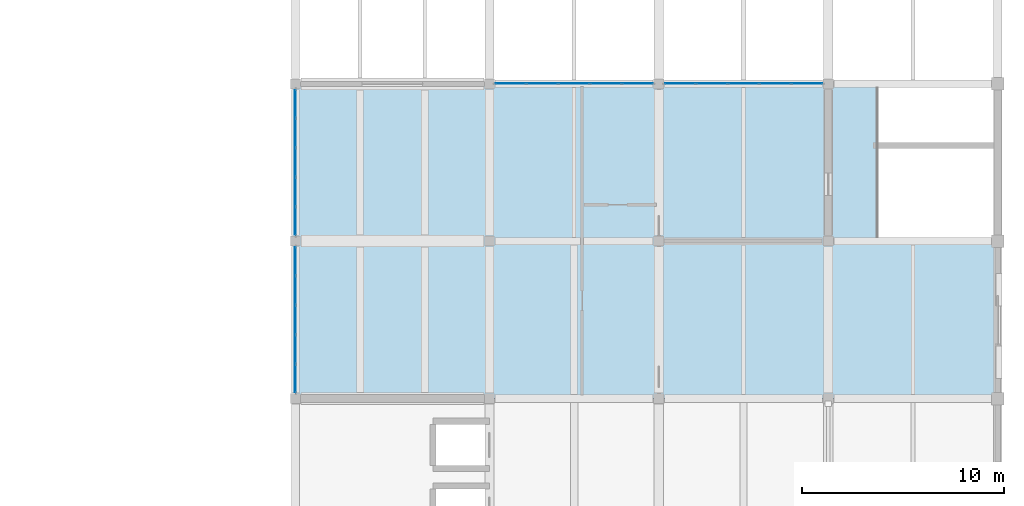
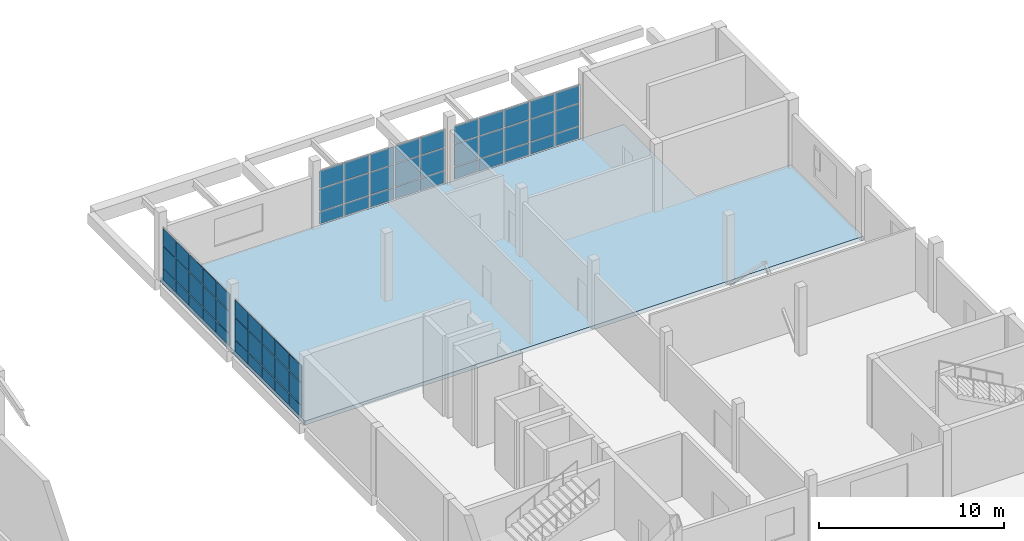
# One storey, part 41 of 53: 60 plates, 1 slab, 4 elements without a shape of their own.
"""IFC4 building model written with IfcOpenShell, lengths in metres."""

from ifc_helpers import new_model, si_unit, direction, frame, origin, place, context, subcontext, project, spatial, polyline, outline, extrude, material, layer, layer_set, type_object, element, aggregate, save


model = new_model("IFC4")

# Units and contexts
model_context = context("Model", 3, precision=1e-05, world=origin(), true_north=direction((0.0, 1.0)))
body_context = subcontext(model_context, "Body", "Model", "MODEL_VIEW")
ifc_project = project(units=[si_unit("LENGTHUNIT", "METRE"), si_unit("AREAUNIT", "SQUARE_METRE"), si_unit("VOLUMEUNIT", "CUBIC_METRE"), si_unit("PLANEANGLEUNIT", "RADIAN"), si_unit("MASSUNIT", "GRAM", prefix="KILO")], contexts=[model_context])

# Site, building, storey
site_placement = place(None, origin())
site = spatial("IfcSite", under=ifc_project, at=site_placement, CompositionType="ELEMENT")
building_placement = place(site_placement, origin())
building = spatial("IfcBuilding", under=site, at=building_placement, Name="Pellamere Symphony Hall", CompositionType="ELEMENT")
storey_placement = place(building_placement, frame((0.0, 0.0, 24.0)))
storey = spatial("IfcBuildingStorey", under=building, at=storey_placement, Name="L05", CompositionType="ELEMENT", Elevation=24.0)

# Curtain wall, plates
ifc_material_1 = material(Name="Thermally Broken Anodised Aluminium 6063-T6 Curtain Wall", Category="aluminium")
curtain_wall_type = type_object("IfcCurtainWallType", Name="Curtain Wall CW-05 (Artists Wing North Studio Ribbon Curtain Wall)", PredefinedType="NOTDEFINED", material=ifc_material_1)
curtain_wall_1_placement = place(storey_placement, origin())
curtain_wall_1 = element("IfcCurtainWall", 1, at=curtain_wall_1_placement, inside=storey, type_object=curtain_wall_type, Name="Artists Wing North Studio Curtain Wall (L05 Bay 1)", PredefinedType="NOTDEFINED")
ifc_material_2 = material(Name="Triple Low-E Argon Acoustic Glazing 36mm", Category="glass")
ifc_layer_1 = layer(ifc_material_2, 0.035888671875, Name="Triple Low-E Argon Acoustic Glazing 36mm")
ifc_layer_set_1 = layer_set([ifc_layer_1], Name="Triple Low-E Argon Acoustic Glazing 36mm")
plate_type = type_object("IfcPlateType", Name="Facade Panel GL-01 36mm", PredefinedType="CURTAIN_PANEL", material=ifc_layer_set_1)
plate_1_placement = place(storey_placement, frame((147.909912109375, 77.39990234375, 0.06005859375), z_axis=(0.0, -1.0, 0.0), x_axis=(1.0, 0.0, 0.0)))
plate_1 = element("IfcPlate", 2, at=plate_1_placement, type_object=plate_type, Name="CW5-148 crystal glass panel 1.1", PredefinedType="CURTAIN_PANEL", context=body_context, shape_type="SweptSolid", body=[
    extrude(outline(polyline([(0.0, 0.0), (1.489990234375, 0.0), (1.489990234375, 0.77392578125), (0.0, 0.77392578125), (0.0, 0.0)])), origin(), (0.0, 0.0, -1.0), 0.035888671875),
])
plate_2_placement = place(storey_placement, frame((147.909912109375, 77.39990234375, 0.89404296875), z_axis=(0.0, -1.0, 0.0), x_axis=(1.0, 0.0, 0.0)))
plate_2 = element("IfcPlate", 3, at=plate_2_placement, type_object=plate_type, Name="CW5-148 crystal glass panel 1.2", PredefinedType="CURTAIN_PANEL", context=body_context, shape_type="SweptSolid", body=[
    extrude(outline(polyline([(0.0, 0.0), (1.489990234375, 0.0), (1.489990234375, 1.451904296875), (0.0, 1.451904296875), (0.0, 0.0)])), origin(), (0.0, 0.0, -1.0), 0.035888671875),
])
plate_3_placement = place(storey_placement, frame((147.909912109375, 77.39990234375, 2.406005859375), z_axis=(0.0, -1.0, 0.0), x_axis=(1.0, 0.0, 0.0)))
plate_3 = element("IfcPlate", 4, at=plate_3_placement, type_object=plate_type, Name="CW5-148 crystal glass panel 1.3", PredefinedType="CURTAIN_PANEL", context=body_context, shape_type="SweptSolid", body=[
    extrude(outline(polyline([(0.0, 0.0), (1.489990234375, 0.0), (1.489990234375, 1.134033203125), (0.0, 1.134033203125), (0.0, 0.0)])), origin(), (0.0, 0.0, -1.0), 0.035888671875),
])
plate_4_placement = place(storey_placement, frame((149.4599609375, 77.39990234375, 0.06005859375), z_axis=(0.0, -1.0, 0.0), x_axis=(1.0, 0.0, 0.0)))
plate_4 = element("IfcPlate", 5, at=plate_4_placement, type_object=plate_type, Name="CW5-148 crystal glass panel 2.1", PredefinedType="CURTAIN_PANEL", context=body_context, shape_type="SweptSolid", body=[
    extrude(outline(polyline([(0.0, 0.0), (1.52001953125, 0.0), (1.52001953125, 0.77392578125), (0.0, 0.77392578125), (0.0, 0.0)])), origin(), (0.0, 0.0, -1.0), 0.035888671875),
])
plate_5_placement = place(storey_placement, frame((149.4599609375, 77.39990234375, 0.89404296875), z_axis=(0.0, -1.0, 0.0), x_axis=(1.0, 0.0, 0.0)))
plate_5 = element("IfcPlate", 6, at=plate_5_placement, type_object=plate_type, Name="CW5-148 crystal glass panel 2.2", PredefinedType="CURTAIN_PANEL", context=body_context, shape_type="SweptSolid", body=[
    extrude(outline(polyline([(0.0, 0.0), (1.52001953125, 0.0), (1.52001953125, 1.451904296875), (0.0, 1.451904296875), (0.0, 0.0)])), origin(), (0.0, 0.0, -1.0), 0.035888671875),
])
plate_6_placement = place(storey_placement, frame((149.4599609375, 77.39990234375, 2.406005859375), z_axis=(0.0, -1.0, 0.0), x_axis=(1.0, 0.0, 0.0)))
plate_6 = element("IfcPlate", 7, at=plate_6_placement, type_object=plate_type, Name="CW5-148 crystal glass panel 2.3", PredefinedType="CURTAIN_PANEL", context=body_context, shape_type="SweptSolid", body=[
    extrude(outline(polyline([(0.0, 0.0), (1.52001953125, 0.0), (1.52001953125, 1.134033203125), (0.0, 1.134033203125), (0.0, 0.0)])), origin(), (0.0, 0.0, -1.0), 0.035888671875),
])
plate_7_placement = place(storey_placement, frame((151.0400390625, 77.39990234375, 0.06005859375), z_axis=(0.0, -1.0, 0.0), x_axis=(1.0, 0.0, 0.0)))
plate_7 = element("IfcPlate", 8, at=plate_7_placement, type_object=plate_type, Name="CW5-148 crystal glass panel 3.1", PredefinedType="CURTAIN_PANEL", context=body_context, shape_type="SweptSolid", body=[
    extrude(outline(polyline([(0.0, 0.0), (1.52001953125, 0.0), (1.52001953125, 0.77392578125), (0.0, 0.77392578125), (0.0, 0.0)])), origin(), (0.0, 0.0, -1.0), 0.035888671875),
])
plate_8_placement = place(storey_placement, frame((151.0400390625, 77.39990234375, 0.89404296875), z_axis=(0.0, -1.0, 0.0), x_axis=(1.0, 0.0, 0.0)))
plate_8 = element("IfcPlate", 9, at=plate_8_placement, type_object=plate_type, Name="CW5-148 crystal glass panel 3.2", PredefinedType="CURTAIN_PANEL", context=body_context, shape_type="SweptSolid", body=[
    extrude(outline(polyline([(0.0, 0.0), (1.52001953125, 0.0), (1.52001953125, 1.451904296875), (0.0, 1.451904296875), (0.0, 0.0)])), origin(), (0.0, 0.0, -1.0), 0.035888671875),
])
plate_9_placement = place(storey_placement, frame((151.0400390625, 77.39990234375, 2.406005859375), z_axis=(0.0, -1.0, 0.0), x_axis=(1.0, 0.0, 0.0)))
plate_9 = element("IfcPlate", 10, at=plate_9_placement, type_object=plate_type, Name="CW5-148 crystal glass panel 3.3", PredefinedType="CURTAIN_PANEL", context=body_context, shape_type="SweptSolid", body=[
    extrude(outline(polyline([(0.0, 0.0), (1.52001953125, 0.0), (1.52001953125, 1.134033203125), (0.0, 1.134033203125), (0.0, 0.0)])), origin(), (0.0, 0.0, -1.0), 0.035888671875),
])
plate_10_placement = place(storey_placement, frame((152.6201171875, 77.39990234375, 0.06005859375), z_axis=(0.0, -1.0, 0.0), x_axis=(1.0, 0.0, 0.0)))
plate_10 = element("IfcPlate", 11, at=plate_10_placement, type_object=plate_type, Name="CW5-148 crystal glass panel 4.1", PredefinedType="CURTAIN_PANEL", context=body_context, shape_type="SweptSolid", body=[
    extrude(outline(polyline([(0.0, 0.0), (1.519775390625, 0.0), (1.519775390625, 0.77392578125), (0.0, 0.77392578125), (0.0, 0.0)])), origin(), (0.0, 0.0, -1.0), 0.035888671875),
])
plate_11_placement = place(storey_placement, frame((152.6201171875, 77.39990234375, 0.89404296875), z_axis=(0.0, -1.0, 0.0), x_axis=(1.0, 0.0, 0.0)))
plate_11 = element("IfcPlate", 12, at=plate_11_placement, type_object=plate_type, Name="CW5-148 crystal glass panel 4.2", PredefinedType="CURTAIN_PANEL", context=body_context, shape_type="SweptSolid", body=[
    extrude(outline(polyline([(0.0, 0.0), (1.519775390625, 0.0), (1.519775390625, 1.451904296875), (0.0, 1.451904296875), (0.0, 0.0)])), origin(), (0.0, 0.0, -1.0), 0.035888671875),
])
plate_12_placement = place(storey_placement, frame((152.6201171875, 77.39990234375, 2.406005859375), z_axis=(0.0, -1.0, 0.0), x_axis=(1.0, 0.0, 0.0)))
plate_12 = element("IfcPlate", 13, at=plate_12_placement, type_object=plate_type, Name="CW5-148 crystal glass panel 4.3", PredefinedType="CURTAIN_PANEL", context=body_context, shape_type="SweptSolid", body=[
    extrude(outline(polyline([(0.0, 0.0), (1.519775390625, 0.0), (1.519775390625, 1.134033203125), (0.0, 1.134033203125), (0.0, 0.0)])), origin(), (0.0, 0.0, -1.0), 0.035888671875),
])
plate_13_placement = place(storey_placement, frame((154.199951171875, 77.39990234375, 0.06005859375), z_axis=(0.0, -1.0, 0.0), x_axis=(1.0, 0.0, 0.0)))
plate_13 = element("IfcPlate", 14, at=plate_13_placement, type_object=plate_type, Name="CW5-148 crystal glass panel 5.1", PredefinedType="CURTAIN_PANEL", context=body_context, shape_type="SweptSolid", body=[
    extrude(outline(polyline([(0.0, 0.0), (1.489990234375, 0.0), (1.489990234375, 0.77392578125), (0.0, 0.77392578125), (0.0, 0.0)])), origin(), (0.0, 0.0, -1.0), 0.035888671875),
])
plate_14_placement = place(storey_placement, frame((154.199951171875, 77.39990234375, 0.89404296875), z_axis=(0.0, -1.0, 0.0), x_axis=(1.0, 0.0, 0.0)))
plate_14 = element("IfcPlate", 15, at=plate_14_placement, type_object=plate_type, Name="CW5-148 crystal glass panel 5.2", PredefinedType="CURTAIN_PANEL", context=body_context, shape_type="SweptSolid", body=[
    extrude(outline(polyline([(0.0, 0.0), (1.489990234375, 0.0), (1.489990234375, 1.451904296875), (0.0, 1.451904296875), (0.0, 0.0)])), origin(), (0.0, 0.0, -1.0), 0.035888671875),
])
plate_15_placement = place(storey_placement, frame((154.199951171875, 77.39990234375, 2.406005859375), z_axis=(0.0, -1.0, 0.0), x_axis=(1.0, 0.0, 0.0)))
plate_15 = element("IfcPlate", 16, at=plate_15_placement, type_object=plate_type, Name="CW5-148 crystal glass panel 5.3", PredefinedType="CURTAIN_PANEL", context=body_context, shape_type="SweptSolid", body=[
    extrude(outline(polyline([(0.0, 0.0), (1.489990234375, 0.0), (1.489990234375, 1.134033203125), (0.0, 1.134033203125), (0.0, 0.0)])), origin(), (0.0, 0.0, -1.0), 0.035888671875),
])
aggregate(curtain_wall_1, [plate_1, plate_2, plate_3, plate_4, plate_5, plate_6, plate_7, plate_8, plate_9, plate_10, plate_11, plate_12, plate_13, plate_14, plate_15])

curtain_wall_2_placement = place(storey_placement, origin())
curtain_wall_2 = element("IfcCurtainWall", 17, at=curtain_wall_2_placement, inside=storey, type_object=curtain_wall_type, Name="Artists Wing North Studio Curtain Wall (L05 Bay 2)", PredefinedType="NOTDEFINED")
plate_16_placement = place(storey_placement, frame((156.31005859375, 77.39990234375, 0.06005859375), z_axis=(0.0, -1.0, 0.0), x_axis=(1.0, 0.0, 0.0)))
plate_16 = element("IfcPlate", 18, at=plate_16_placement, type_object=plate_type, Name="CW5-149 crystal glass panel 1.1", PredefinedType="CURTAIN_PANEL", context=body_context, shape_type="SweptSolid", body=[
    extrude(outline(polyline([(0.0, 0.0), (1.489990234375, 0.0), (1.489990234375, 0.77392578125), (0.0, 0.77392578125), (0.0, 0.0)])), origin(), (0.0, 0.0, -1.0), 0.035888671875),
])
plate_17_placement = place(storey_placement, frame((156.31005859375, 77.39990234375, 0.89404296875), z_axis=(0.0, -1.0, 0.0), x_axis=(1.0, 0.0, 0.0)))
plate_17 = element("IfcPlate", 19, at=plate_17_placement, type_object=plate_type, Name="CW5-149 crystal glass panel 1.2", PredefinedType="CURTAIN_PANEL", context=body_context, shape_type="SweptSolid", body=[
    extrude(outline(polyline([(0.0, 0.0), (1.489990234375, 0.0), (1.489990234375, 1.451904296875), (0.0, 1.451904296875), (0.0, 0.0)])), origin(), (0.0, 0.0, -1.0), 0.035888671875),
])
plate_18_placement = place(storey_placement, frame((156.31005859375, 77.39990234375, 2.406005859375), z_axis=(0.0, -1.0, 0.0), x_axis=(1.0, 0.0, 0.0)))
plate_18 = element("IfcPlate", 20, at=plate_18_placement, type_object=plate_type, Name="CW5-149 crystal glass panel 1.3", PredefinedType="CURTAIN_PANEL", context=body_context, shape_type="SweptSolid", body=[
    extrude(outline(polyline([(0.0, 0.0), (1.489990234375, 0.0), (1.489990234375, 1.134033203125), (0.0, 1.134033203125), (0.0, 0.0)])), origin(), (0.0, 0.0, -1.0), 0.035888671875),
])
plate_19_placement = place(storey_placement, frame((157.860107421875, 77.39990234375, 0.06005859375), z_axis=(0.0, -1.0, 0.0), x_axis=(1.0, 0.0, 0.0)))
plate_19 = element("IfcPlate", 21, at=plate_19_placement, type_object=plate_type, Name="CW5-149 crystal glass panel 2.1", PredefinedType="CURTAIN_PANEL", context=body_context, shape_type="SweptSolid", body=[
    extrude(outline(polyline([(0.0, 0.0), (1.519775390625, 0.0), (1.519775390625, 0.77392578125), (0.0, 0.77392578125), (0.0, 0.0)])), origin(), (0.0, 0.0, -1.0), 0.035888671875),
])
plate_20_placement = place(storey_placement, frame((157.860107421875, 77.39990234375, 0.89404296875), z_axis=(0.0, -1.0, 0.0), x_axis=(1.0, 0.0, 0.0)))
plate_20 = element("IfcPlate", 22, at=plate_20_placement, type_object=plate_type, Name="CW5-149 crystal glass panel 2.2", PredefinedType="CURTAIN_PANEL", context=body_context, shape_type="SweptSolid", body=[
    extrude(outline(polyline([(0.0, 0.0), (1.519775390625, 0.0), (1.519775390625, 1.451904296875), (0.0, 1.451904296875), (0.0, 0.0)])), origin(), (0.0, 0.0, -1.0), 0.035888671875),
])
plate_21_placement = place(storey_placement, frame((157.860107421875, 77.39990234375, 2.406005859375), z_axis=(0.0, -1.0, 0.0), x_axis=(1.0, 0.0, 0.0)))
plate_21 = element("IfcPlate", 23, at=plate_21_placement, type_object=plate_type, Name="CW5-149 crystal glass panel 2.3", PredefinedType="CURTAIN_PANEL", context=body_context, shape_type="SweptSolid", body=[
    extrude(outline(polyline([(0.0, 0.0), (1.519775390625, 0.0), (1.519775390625, 1.134033203125), (0.0, 1.134033203125), (0.0, 0.0)])), origin(), (0.0, 0.0, -1.0), 0.035888671875),
])
plate_22_placement = place(storey_placement, frame((159.43994140625, 77.39990234375, 0.06005859375), z_axis=(0.0, -1.0, 0.0), x_axis=(1.0, 0.0, 0.0)))
plate_22 = element("IfcPlate", 24, at=plate_22_placement, type_object=plate_type, Name="CW5-149 crystal glass panel 3.1", PredefinedType="CURTAIN_PANEL", context=body_context, shape_type="SweptSolid", body=[
    extrude(outline(polyline([(0.0, 0.0), (1.52001953125, 0.0), (1.52001953125, 0.77392578125), (0.0, 0.77392578125), (0.0, 0.0)])), origin(), (0.0, 0.0, -1.0), 0.035888671875),
])
plate_23_placement = place(storey_placement, frame((159.43994140625, 77.39990234375, 0.89404296875), z_axis=(0.0, -1.0, 0.0), x_axis=(1.0, 0.0, 0.0)))
plate_23 = element("IfcPlate", 25, at=plate_23_placement, type_object=plate_type, Name="CW5-149 crystal glass panel 3.2", PredefinedType="CURTAIN_PANEL", context=body_context, shape_type="SweptSolid", body=[
    extrude(outline(polyline([(0.0, 0.0), (1.52001953125, 0.0), (1.52001953125, 1.451904296875), (0.0, 1.451904296875), (0.0, 0.0)])), origin(), (0.0, 0.0, -1.0), 0.035888671875),
])
plate_24_placement = place(storey_placement, frame((159.43994140625, 77.39990234375, 2.406005859375), z_axis=(0.0, -1.0, 0.0), x_axis=(1.0, 0.0, 0.0)))
plate_24 = element("IfcPlate", 26, at=plate_24_placement, type_object=plate_type, Name="CW5-149 crystal glass panel 3.3", PredefinedType="CURTAIN_PANEL", context=body_context, shape_type="SweptSolid", body=[
    extrude(outline(polyline([(0.0, 0.0), (1.52001953125, 0.0), (1.52001953125, 1.134033203125), (0.0, 1.134033203125), (0.0, 0.0)])), origin(), (0.0, 0.0, -1.0), 0.035888671875),
])
plate_25_placement = place(storey_placement, frame((161.02001953125, 77.39990234375, 0.06005859375), z_axis=(0.0, -1.0, 0.0), x_axis=(1.0, 0.0, 0.0)))
plate_25 = element("IfcPlate", 27, at=plate_25_placement, type_object=plate_type, Name="CW5-149 crystal glass panel 4.1", PredefinedType="CURTAIN_PANEL", context=body_context, shape_type="SweptSolid", body=[
    extrude(outline(polyline([(0.0, 0.0), (1.52001953125, 0.0), (1.52001953125, 0.77392578125), (0.0, 0.77392578125), (0.0, 0.0)])), origin(), (0.0, 0.0, -1.0), 0.035888671875),
])
plate_26_placement = place(storey_placement, frame((161.02001953125, 77.39990234375, 0.89404296875), z_axis=(0.0, -1.0, 0.0), x_axis=(1.0, 0.0, 0.0)))
plate_26 = element("IfcPlate", 28, at=plate_26_placement, type_object=plate_type, Name="CW5-149 crystal glass panel 4.2", PredefinedType="CURTAIN_PANEL", context=body_context, shape_type="SweptSolid", body=[
    extrude(outline(polyline([(0.0, 0.0), (1.52001953125, 0.0), (1.52001953125, 1.451904296875), (0.0, 1.451904296875), (0.0, 0.0)])), origin(), (0.0, 0.0, -1.0), 0.035888671875),
])
plate_27_placement = place(storey_placement, frame((161.02001953125, 77.39990234375, 2.406005859375), z_axis=(0.0, -1.0, 0.0), x_axis=(1.0, 0.0, 0.0)))
plate_27 = element("IfcPlate", 29, at=plate_27_placement, type_object=plate_type, Name="CW5-149 crystal glass panel 4.3", PredefinedType="CURTAIN_PANEL", context=body_context, shape_type="SweptSolid", body=[
    extrude(outline(polyline([(0.0, 0.0), (1.52001953125, 0.0), (1.52001953125, 1.134033203125), (0.0, 1.134033203125), (0.0, 0.0)])), origin(), (0.0, 0.0, -1.0), 0.035888671875),
])
plate_28_placement = place(storey_placement, frame((162.60009765625, 77.39990234375, 0.06005859375), z_axis=(0.0, -1.0, 0.0), x_axis=(1.0, 0.0, 0.0)))
plate_28 = element("IfcPlate", 30, at=plate_28_placement, type_object=plate_type, Name="CW5-149 crystal glass panel 5.1", PredefinedType="CURTAIN_PANEL", context=body_context, shape_type="SweptSolid", body=[
    extrude(outline(polyline([(0.0, 0.0), (1.489990234375, 0.0), (1.489990234375, 0.77392578125), (0.0, 0.77392578125), (0.0, 0.0)])), origin(), (0.0, 0.0, -1.0), 0.035888671875),
])
plate_29_placement = place(storey_placement, frame((162.60009765625, 77.39990234375, 0.89404296875), z_axis=(0.0, -1.0, 0.0), x_axis=(1.0, 0.0, 0.0)))
plate_29 = element("IfcPlate", 31, at=plate_29_placement, type_object=plate_type, Name="CW5-149 crystal glass panel 5.2", PredefinedType="CURTAIN_PANEL", context=body_context, shape_type="SweptSolid", body=[
    extrude(outline(polyline([(0.0, 0.0), (1.489990234375, 0.0), (1.489990234375, 1.451904296875), (0.0, 1.451904296875), (0.0, 0.0)])), origin(), (0.0, 0.0, -1.0), 0.035888671875),
])
plate_30_placement = place(storey_placement, frame((162.60009765625, 77.39990234375, 2.406005859375), z_axis=(0.0, -1.0, 0.0), x_axis=(1.0, 0.0, 0.0)))
plate_30 = element("IfcPlate", 32, at=plate_30_placement, type_object=plate_type, Name="CW5-149 crystal glass panel 5.3", PredefinedType="CURTAIN_PANEL", context=body_context, shape_type="SweptSolid", body=[
    extrude(outline(polyline([(0.0, 0.0), (1.489990234375, 0.0), (1.489990234375, 1.134033203125), (0.0, 1.134033203125), (0.0, 0.0)])), origin(), (0.0, 0.0, -1.0), 0.035888671875),
])
aggregate(curtain_wall_2, [plate_16, plate_17, plate_18, plate_19, plate_20, plate_21, plate_22, plate_23, plate_24, plate_25, plate_26, plate_27, plate_28, plate_29, plate_30])

curtain_wall_3_placement = place(storey_placement, origin())
curtain_wall_3 = element("IfcCurtainWall", 33, at=curtain_wall_3_placement, inside=storey, type_object=curtain_wall_type, Name="Sculpture Court East Wing Curtain Wall (L05 Bay 1)", PredefinedType="NOTDEFINED")
plate_31_placement = place(storey_placement, frame((138.0, 62.110107421875, 0.06005859375), z_axis=(1.0, 0.0, 0.0), x_axis=(0.0, 1.0, 0.0)))
plate_31 = element("IfcPlate", 34, at=plate_31_placement, type_object=plate_type, Name="CW5-150 crystal glass panel 1.1", PredefinedType="CURTAIN_PANEL", context=body_context, shape_type="SweptSolid", body=[
    extrude(outline(polyline([(0.0, 0.0), (1.369873046875, 0.0), (1.369873046875, 0.754638671875), (0.0, 0.754638671875), (0.0, 0.0)])), origin(), (0.0, 0.0, -1.0), 0.035888671875),
])
plate_32_placement = place(storey_placement, frame((138.0, 62.110107421875, 0.874755859375), z_axis=(1.0, 0.0, 0.0), x_axis=(0.0, 1.0, 0.0)))
plate_32 = element("IfcPlate", 35, at=plate_32_placement, type_object=plate_type, Name="CW5-150 crystal glass panel 1.2", PredefinedType="CURTAIN_PANEL", context=body_context, shape_type="SweptSolid", body=[
    extrude(outline(polyline([(0.0, 0.0), (1.369873046875, 0.0), (1.369873046875, 1.41845703125), (0.0, 1.41845703125), (0.0, 0.0)])), origin(), (0.0, 0.0, -1.0), 0.035888671875),
])
plate_33_placement = place(storey_placement, frame((138.0, 62.110107421875, 2.353271484375), z_axis=(1.0, 0.0, 0.0), x_axis=(0.0, 1.0, 0.0)))
plate_33 = element("IfcPlate", 36, at=plate_33_placement, type_object=plate_type, Name="CW5-150 crystal glass panel 1.3", PredefinedType="CURTAIN_PANEL", context=body_context, shape_type="SweptSolid", body=[
    extrude(outline(polyline([(0.0, 0.0), (1.369873046875, 0.0), (1.369873046875, 1.106689453125), (0.0, 1.106689453125), (0.0, 0.0)])), origin(), (0.0, 0.0, -1.0), 0.035888671875),
])
plate_34_placement = place(storey_placement, frame((138.0, 63.5400390625, 0.06005859375), z_axis=(1.0, 0.0, 0.0), x_axis=(0.0, 1.0, 0.0)))
plate_34 = element("IfcPlate", 37, at=plate_34_placement, type_object=plate_type, Name="CW5-150 crystal glass panel 2.1", PredefinedType="CURTAIN_PANEL", context=body_context, shape_type="SweptSolid", body=[
    extrude(outline(polyline([(0.0, 0.0), (1.39990234375, 0.0), (1.39990234375, 0.754638671875), (0.0, 0.754638671875), (0.0, 0.0)])), origin(), (0.0, 0.0, -1.0), 0.035888671875),
])
plate_35_placement = place(storey_placement, frame((138.0, 63.5400390625, 0.874755859375), z_axis=(1.0, 0.0, 0.0), x_axis=(0.0, 1.0, 0.0)))
plate_35 = element("IfcPlate", 38, at=plate_35_placement, type_object=plate_type, Name="CW5-150 crystal glass panel 2.2", PredefinedType="CURTAIN_PANEL", context=body_context, shape_type="SweptSolid", body=[
    extrude(outline(polyline([(0.0, 0.0), (1.39990234375, 0.0), (1.39990234375, 1.41845703125), (0.0, 1.41845703125), (0.0, 0.0)])), origin(), (0.0, 0.0, -1.0), 0.035888671875),
])
plate_36_placement = place(storey_placement, frame((138.0, 63.5400390625, 2.353271484375), z_axis=(1.0, 0.0, 0.0), x_axis=(0.0, 1.0, 0.0)))
plate_36 = element("IfcPlate", 39, at=plate_36_placement, type_object=plate_type, Name="CW5-150 crystal glass panel 2.3", PredefinedType="CURTAIN_PANEL", context=body_context, shape_type="SweptSolid", body=[
    extrude(outline(polyline([(0.0, 0.0), (1.39990234375, 0.0), (1.39990234375, 1.106689453125), (0.0, 1.106689453125), (0.0, 0.0)])), origin(), (0.0, 0.0, -1.0), 0.035888671875),
])
plate_37_placement = place(storey_placement, frame((138.0, 65.0, 0.06005859375), z_axis=(1.0, 0.0, 0.0), x_axis=(0.0, 1.0, 0.0)))
plate_37 = element("IfcPlate", 40, at=plate_37_placement, type_object=plate_type, Name="CW5-150 crystal glass panel 3.1", PredefinedType="CURTAIN_PANEL", context=body_context, shape_type="SweptSolid", body=[
    extrude(outline(polyline([(0.0, 0.0), (1.39990234375, 0.0), (1.39990234375, 0.754638671875), (0.0, 0.754638671875), (0.0, 0.0)])), origin(), (0.0, 0.0, -1.0), 0.035888671875),
])
plate_38_placement = place(storey_placement, frame((138.0, 65.0, 0.874755859375), z_axis=(1.0, 0.0, 0.0), x_axis=(0.0, 1.0, 0.0)))
plate_38 = element("IfcPlate", 41, at=plate_38_placement, type_object=plate_type, Name="CW5-150 crystal glass panel 3.2", PredefinedType="CURTAIN_PANEL", context=body_context, shape_type="SweptSolid", body=[
    extrude(outline(polyline([(0.0, 0.0), (1.39990234375, 0.0), (1.39990234375, 1.41845703125), (0.0, 1.41845703125), (0.0, 0.0)])), origin(), (0.0, 0.0, -1.0), 0.035888671875),
])
plate_39_placement = place(storey_placement, frame((138.0, 65.0, 2.353271484375), z_axis=(1.0, 0.0, 0.0), x_axis=(0.0, 1.0, 0.0)))
plate_39 = element("IfcPlate", 42, at=plate_39_placement, type_object=plate_type, Name="CW5-150 crystal glass panel 3.3", PredefinedType="CURTAIN_PANEL", context=body_context, shape_type="SweptSolid", body=[
    extrude(outline(polyline([(0.0, 0.0), (1.39990234375, 0.0), (1.39990234375, 1.106689453125), (0.0, 1.106689453125), (0.0, 0.0)])), origin(), (0.0, 0.0, -1.0), 0.035888671875),
])
plate_40_placement = place(storey_placement, frame((138.0, 66.4599609375, 0.06005859375), z_axis=(1.0, 0.0, 0.0), x_axis=(0.0, 1.0, 0.0)))
plate_40 = element("IfcPlate", 43, at=plate_40_placement, type_object=plate_type, Name="CW5-150 crystal glass panel 4.1", PredefinedType="CURTAIN_PANEL", context=body_context, shape_type="SweptSolid", body=[
    extrude(outline(polyline([(0.0, 0.0), (1.400146484375, 0.0), (1.400146484375, 0.754638671875), (0.0, 0.754638671875), (0.0, 0.0)])), origin(), (0.0, 0.0, -1.0), 0.035888671875),
])
plate_41_placement = place(storey_placement, frame((138.0, 66.4599609375, 0.874755859375), z_axis=(1.0, 0.0, 0.0), x_axis=(0.0, 1.0, 0.0)))
plate_41 = element("IfcPlate", 44, at=plate_41_placement, type_object=plate_type, Name="CW5-150 crystal glass panel 4.2", PredefinedType="CURTAIN_PANEL", context=body_context, shape_type="SweptSolid", body=[
    extrude(outline(polyline([(0.0, 0.0), (1.400146484375, 0.0), (1.400146484375, 1.41845703125), (0.0, 1.41845703125), (0.0, 0.0)])), origin(), (0.0, 0.0, -1.0), 0.035888671875),
])
plate_42_placement = place(storey_placement, frame((138.0, 66.4599609375, 2.353271484375), z_axis=(1.0, 0.0, 0.0), x_axis=(0.0, 1.0, 0.0)))
plate_42 = element("IfcPlate", 45, at=plate_42_placement, type_object=plate_type, Name="CW5-150 crystal glass panel 4.3", PredefinedType="CURTAIN_PANEL", context=body_context, shape_type="SweptSolid", body=[
    extrude(outline(polyline([(0.0, 0.0), (1.400146484375, 0.0), (1.400146484375, 1.106689453125), (0.0, 1.106689453125), (0.0, 0.0)])), origin(), (0.0, 0.0, -1.0), 0.035888671875),
])
plate_43_placement = place(storey_placement, frame((138.0, 67.919921875, 0.06005859375), z_axis=(1.0, 0.0, 0.0), x_axis=(0.0, 1.0, 0.0)))
plate_43 = element("IfcPlate", 46, at=plate_43_placement, type_object=plate_type, Name="CW5-150 crystal glass panel 5.1", PredefinedType="CURTAIN_PANEL", context=body_context, shape_type="SweptSolid", body=[
    extrude(outline(polyline([(0.0, 0.0), (1.3701171875, 0.0), (1.3701171875, 0.754638671875), (0.0, 0.754638671875), (0.0, 0.0)])), origin(), (0.0, 0.0, -1.0), 0.035888671875),
])
plate_44_placement = place(storey_placement, frame((138.0, 67.919921875, 0.874755859375), z_axis=(1.0, 0.0, 0.0), x_axis=(0.0, 1.0, 0.0)))
plate_44 = element("IfcPlate", 47, at=plate_44_placement, type_object=plate_type, Name="CW5-150 crystal glass panel 5.2", PredefinedType="CURTAIN_PANEL", context=body_context, shape_type="SweptSolid", body=[
    extrude(outline(polyline([(0.0, 0.0), (1.3701171875, 0.0), (1.3701171875, 1.41845703125), (0.0, 1.41845703125), (0.0, 0.0)])), origin(), (0.0, 0.0, -1.0), 0.035888671875),
])
plate_45_placement = place(storey_placement, frame((138.0, 67.919921875, 2.353271484375), z_axis=(1.0, 0.0, 0.0), x_axis=(0.0, 1.0, 0.0)))
plate_45 = element("IfcPlate", 48, at=plate_45_placement, type_object=plate_type, Name="CW5-150 crystal glass panel 5.3", PredefinedType="CURTAIN_PANEL", context=body_context, shape_type="SweptSolid", body=[
    extrude(outline(polyline([(0.0, 0.0), (1.3701171875, 0.0), (1.3701171875, 1.106689453125), (0.0, 1.106689453125), (0.0, 0.0)])), origin(), (0.0, 0.0, -1.0), 0.035888671875),
])
aggregate(curtain_wall_3, [plate_31, plate_32, plate_33, plate_34, plate_35, plate_36, plate_37, plate_38, plate_39, plate_40, plate_41, plate_42, plate_43, plate_44, plate_45])

curtain_wall_4_placement = place(storey_placement, origin())
curtain_wall_4 = element("IfcCurtainWall", 49, at=curtain_wall_4_placement, inside=storey, type_object=curtain_wall_type, Name="Sculpture Court East Wing Curtain Wall (L05 Bay 2)", PredefinedType="NOTDEFINED")
plate_46_placement = place(storey_placement, frame((138.0, 69.909912109375, 0.06005859375), z_axis=(1.0, 0.0, 0.0), x_axis=(0.0, 1.0, 0.0)))
plate_46 = element("IfcPlate", 50, at=plate_46_placement, type_object=plate_type, Name="CW5-151 crystal glass panel 1.1", PredefinedType="CURTAIN_PANEL", context=body_context, shape_type="SweptSolid", body=[
    extrude(outline(polyline([(0.0, 0.0), (1.3701171875, 0.0), (1.3701171875, 0.754638671875), (0.0, 0.754638671875), (0.0, 0.0)])), origin(), (0.0, 0.0, -1.0), 0.035888671875),
])
plate_47_placement = place(storey_placement, frame((138.0, 69.909912109375, 0.874755859375), z_axis=(1.0, 0.0, 0.0), x_axis=(0.0, 1.0, 0.0)))
plate_47 = element("IfcPlate", 51, at=plate_47_placement, type_object=plate_type, Name="CW5-151 crystal glass panel 1.2", PredefinedType="CURTAIN_PANEL", context=body_context, shape_type="SweptSolid", body=[
    extrude(outline(polyline([(0.0, 0.0), (1.3701171875, 0.0), (1.3701171875, 1.41845703125), (0.0, 1.41845703125), (0.0, 0.0)])), origin(), (0.0, 0.0, -1.0), 0.035888671875),
])
plate_48_placement = place(storey_placement, frame((138.0, 69.909912109375, 2.353271484375), z_axis=(1.0, 0.0, 0.0), x_axis=(0.0, 1.0, 0.0)))
plate_48 = element("IfcPlate", 52, at=plate_48_placement, type_object=plate_type, Name="CW5-151 crystal glass panel 1.3", PredefinedType="CURTAIN_PANEL", context=body_context, shape_type="SweptSolid", body=[
    extrude(outline(polyline([(0.0, 0.0), (1.3701171875, 0.0), (1.3701171875, 1.106689453125), (0.0, 1.106689453125), (0.0, 0.0)])), origin(), (0.0, 0.0, -1.0), 0.035888671875),
])
plate_49_placement = place(storey_placement, frame((138.0, 71.340087890625, 0.06005859375), z_axis=(1.0, 0.0, 0.0), x_axis=(0.0, 1.0, 0.0)))
plate_49 = element("IfcPlate", 53, at=plate_49_placement, type_object=plate_type, Name="CW5-151 crystal glass panel 2.1", PredefinedType="CURTAIN_PANEL", context=body_context, shape_type="SweptSolid", body=[
    extrude(outline(polyline([(0.0, 0.0), (1.39990234375, 0.0), (1.39990234375, 0.754638671875), (0.0, 0.754638671875), (0.0, 0.0)])), origin(), (0.0, 0.0, -1.0), 0.035888671875),
])
plate_50_placement = place(storey_placement, frame((138.0, 71.340087890625, 0.874755859375), z_axis=(1.0, 0.0, 0.0), x_axis=(0.0, 1.0, 0.0)))
plate_50 = element("IfcPlate", 54, at=plate_50_placement, type_object=plate_type, Name="CW5-151 crystal glass panel 2.2", PredefinedType="CURTAIN_PANEL", context=body_context, shape_type="SweptSolid", body=[
    extrude(outline(polyline([(0.0, 0.0), (1.39990234375, 0.0), (1.39990234375, 1.41845703125), (0.0, 1.41845703125), (0.0, 0.0)])), origin(), (0.0, 0.0, -1.0), 0.035888671875),
])
plate_51_placement = place(storey_placement, frame((138.0, 71.340087890625, 2.353271484375), z_axis=(1.0, 0.0, 0.0), x_axis=(0.0, 1.0, 0.0)))
plate_51 = element("IfcPlate", 55, at=plate_51_placement, type_object=plate_type, Name="CW5-151 crystal glass panel 2.3", PredefinedType="CURTAIN_PANEL", context=body_context, shape_type="SweptSolid", body=[
    extrude(outline(polyline([(0.0, 0.0), (1.39990234375, 0.0), (1.39990234375, 1.106689453125), (0.0, 1.106689453125), (0.0, 0.0)])), origin(), (0.0, 0.0, -1.0), 0.035888671875),
])
plate_52_placement = place(storey_placement, frame((138.0, 72.800048828125, 0.06005859375), z_axis=(1.0, 0.0, 0.0), x_axis=(0.0, 1.0, 0.0)))
plate_52 = element("IfcPlate", 56, at=plate_52_placement, type_object=plate_type, Name="CW5-151 crystal glass panel 3.1", PredefinedType="CURTAIN_PANEL", context=body_context, shape_type="SweptSolid", body=[
    extrude(outline(polyline([(0.0, 0.0), (1.39990234375, 0.0), (1.39990234375, 0.754638671875), (0.0, 0.754638671875), (0.0, 0.0)])), origin(), (0.0, 0.0, -1.0), 0.035888671875),
])
plate_53_placement = place(storey_placement, frame((138.0, 72.800048828125, 0.874755859375), z_axis=(1.0, 0.0, 0.0), x_axis=(0.0, 1.0, 0.0)))
plate_53 = element("IfcPlate", 57, at=plate_53_placement, type_object=plate_type, Name="CW5-151 crystal glass panel 3.2", PredefinedType="CURTAIN_PANEL", context=body_context, shape_type="SweptSolid", body=[
    extrude(outline(polyline([(0.0, 0.0), (1.39990234375, 0.0), (1.39990234375, 1.41845703125), (0.0, 1.41845703125), (0.0, 0.0)])), origin(), (0.0, 0.0, -1.0), 0.035888671875),
])
plate_54_placement = place(storey_placement, frame((138.0, 72.800048828125, 2.353271484375), z_axis=(1.0, 0.0, 0.0), x_axis=(0.0, 1.0, 0.0)))
plate_54 = element("IfcPlate", 58, at=plate_54_placement, type_object=plate_type, Name="CW5-151 crystal glass panel 3.3", PredefinedType="CURTAIN_PANEL", context=body_context, shape_type="SweptSolid", body=[
    extrude(outline(polyline([(0.0, 0.0), (1.39990234375, 0.0), (1.39990234375, 1.106689453125), (0.0, 1.106689453125), (0.0, 0.0)])), origin(), (0.0, 0.0, -1.0), 0.035888671875),
])
plate_55_placement = place(storey_placement, frame((138.0, 74.260009765625, 0.06005859375), z_axis=(1.0, 0.0, 0.0), x_axis=(0.0, 1.0, 0.0)))
plate_55 = element("IfcPlate", 59, at=plate_55_placement, type_object=plate_type, Name="CW5-151 crystal glass panel 4.1", PredefinedType="CURTAIN_PANEL", context=body_context, shape_type="SweptSolid", body=[
    extrude(outline(polyline([(0.0, 0.0), (1.39990234375, 0.0), (1.39990234375, 0.754638671875), (0.0, 0.754638671875), (0.0, 0.0)])), origin(), (0.0, 0.0, -1.0), 0.035888671875),
])
plate_56_placement = place(storey_placement, frame((138.0, 74.260009765625, 0.874755859375), z_axis=(1.0, 0.0, 0.0), x_axis=(0.0, 1.0, 0.0)))
plate_56 = element("IfcPlate", 60, at=plate_56_placement, type_object=plate_type, Name="CW5-151 crystal glass panel 4.2", PredefinedType="CURTAIN_PANEL", context=body_context, shape_type="SweptSolid", body=[
    extrude(outline(polyline([(0.0, 0.0), (1.39990234375, 0.0), (1.39990234375, 1.41845703125), (0.0, 1.41845703125), (0.0, 0.0)])), origin(), (0.0, 0.0, -1.0), 0.035888671875),
])
plate_57_placement = place(storey_placement, frame((138.0, 74.260009765625, 2.353271484375), z_axis=(1.0, 0.0, 0.0), x_axis=(0.0, 1.0, 0.0)))
plate_57 = element("IfcPlate", 61, at=plate_57_placement, type_object=plate_type, Name="CW5-151 crystal glass panel 4.3", PredefinedType="CURTAIN_PANEL", context=body_context, shape_type="SweptSolid", body=[
    extrude(outline(polyline([(0.0, 0.0), (1.39990234375, 0.0), (1.39990234375, 1.106689453125), (0.0, 1.106689453125), (0.0, 0.0)])), origin(), (0.0, 0.0, -1.0), 0.035888671875),
])
plate_58_placement = place(storey_placement, frame((138.0, 75.719970703125, 0.06005859375), z_axis=(1.0, 0.0, 0.0), x_axis=(0.0, 1.0, 0.0)))
plate_58 = element("IfcPlate", 62, at=plate_58_placement, type_object=plate_type, Name="CW5-151 crystal glass panel 5.1", PredefinedType="CURTAIN_PANEL", context=body_context, shape_type="SweptSolid", body=[
    extrude(outline(polyline([(0.0, 0.0), (1.3701171875, 0.0), (1.3701171875, 0.754638671875), (0.0, 0.754638671875), (0.0, 0.0)])), origin(), (0.0, 0.0, -1.0), 0.035888671875),
])
plate_59_placement = place(storey_placement, frame((138.0, 75.719970703125, 0.874755859375), z_axis=(1.0, 0.0, 0.0), x_axis=(0.0, 1.0, 0.0)))
plate_59 = element("IfcPlate", 63, at=plate_59_placement, type_object=plate_type, Name="CW5-151 crystal glass panel 5.2", PredefinedType="CURTAIN_PANEL", context=body_context, shape_type="SweptSolid", body=[
    extrude(outline(polyline([(0.0, 0.0), (1.3701171875, 0.0), (1.3701171875, 1.41845703125), (0.0, 1.41845703125), (0.0, 0.0)])), origin(), (0.0, 0.0, -1.0), 0.035888671875),
])
plate_60_placement = place(storey_placement, frame((138.0, 75.719970703125, 2.353271484375), z_axis=(1.0, 0.0, 0.0), x_axis=(0.0, 1.0, 0.0)))
plate_60 = element("IfcPlate", 64, at=plate_60_placement, type_object=plate_type, Name="CW5-151 crystal glass panel 5.3", PredefinedType="CURTAIN_PANEL", context=body_context, shape_type="SweptSolid", body=[
    extrude(outline(polyline([(0.0, 0.0), (1.3701171875, 0.0), (1.3701171875, 1.106689453125), (0.0, 1.106689453125), (0.0, 0.0)])), origin(), (0.0, 0.0, -1.0), 0.035888671875),
])
aggregate(curtain_wall_4, [plate_46, plate_47, plate_48, plate_49, plate_50, plate_51, plate_52, plate_53, plate_54, plate_55, plate_56, plate_57, plate_58, plate_59, plate_60])

# Slab
ifc_material_3 = material(Name="Concrete 40 MPa", Category="concrete")
ifc_layer_2 = layer(ifc_material_3, 0.260009765625, Name="Concrete 40 MPa")
ifc_layer_set_2 = layer_set([ifc_layer_2], Name="Concrete 40 MPa")
slab_type = type_object("IfcSlabType", Name="Structural Slab FS-04 260mm", PredefinedType="FLOOR", material=ifc_layer_set_2)
slab_placement = place(storey_placement, frame((0.0, 0.0, -0.260009765625)))
element("IfcSlab", 65, at=slab_placement, inside=storey, type_object=slab_type, Name="Floor Slab L05-V5B-1", PredefinedType="FLOOR", context=body_context, shape_type="SweptSolid", body=[
    extrude(outline(polyline([(172.800048828125, 61.800048828125), (138.0, 61.800048828125), (138.0, 77.39990234375), (166.875, 77.39990234375), (166.875, 69.60009765625), (172.800048828125, 69.60009765625), (172.800048828125, 61.800048828125)])), origin(), (0.0, 0.0, 1.0), 0.260009765625),
])

save(model, "model.ifc")
